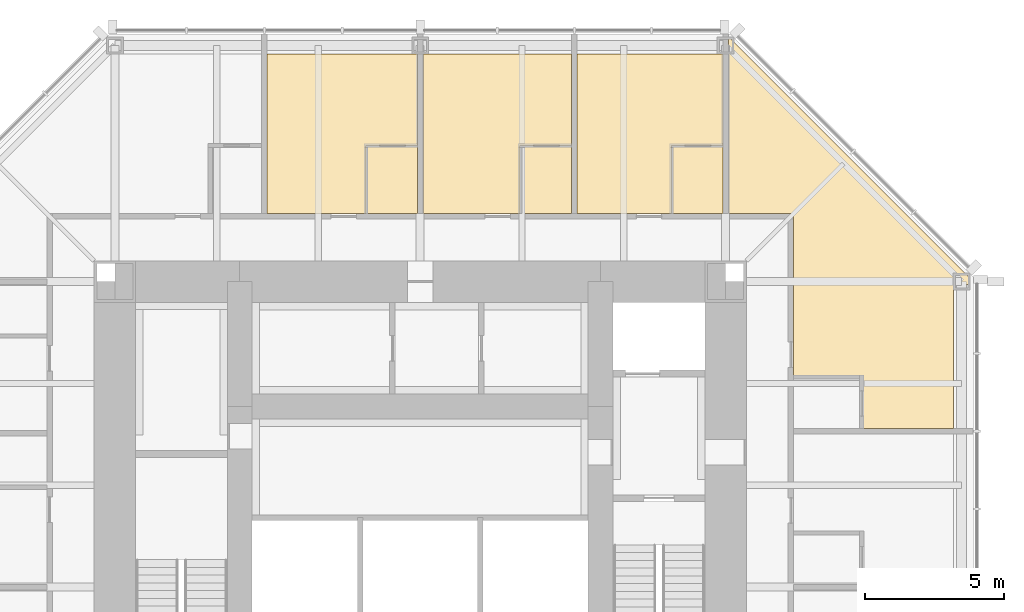
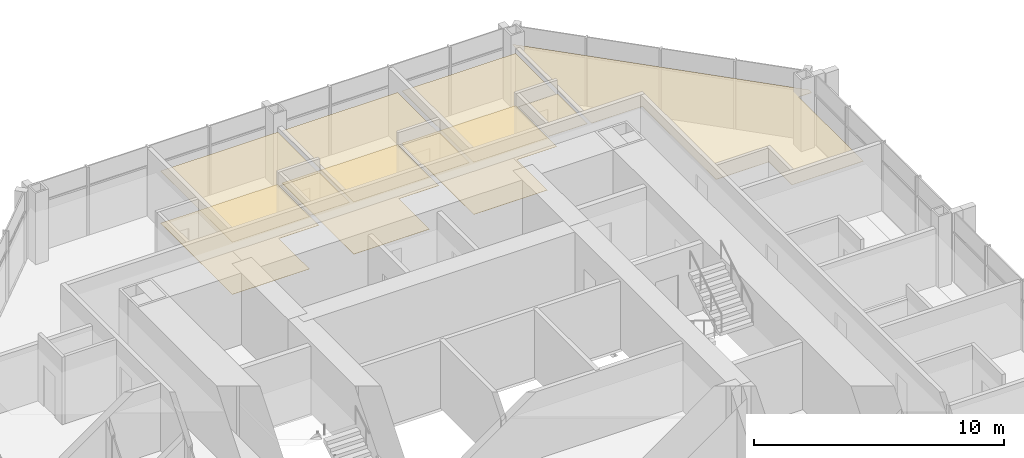
# One storey, part 12 of 12: 10 coverings.
"""IFC4 building model written with IfcOpenShell, lengths in metres."""

from ifc_helpers import new_model, si_unit, direction, frame, origin, place, context, subcontext, project, spatial, polyline, outline, extrude, material, layer, layer_set, type_object, element, save


model = new_model("IFC4")

# Units and contexts
model_context = context("Model", 3, precision=1e-05, world=origin(), true_north=direction((0.0, 1.0)))
body_context = subcontext(model_context, "Body", "Model", "MODEL_VIEW")
ifc_project = project(units=[si_unit("LENGTHUNIT", "METRE"), si_unit("AREAUNIT", "SQUARE_METRE"), si_unit("VOLUMEUNIT", "CUBIC_METRE"), si_unit("PLANEANGLEUNIT", "RADIAN"), si_unit("MASSUNIT", "GRAM", prefix="KILO")], contexts=[model_context])

# Site, building, storey
site_placement = place(None, origin())
site = spatial("IfcSite", under=ifc_project, at=site_placement, CompositionType="ELEMENT")
building_placement = place(site_placement, origin())
building = spatial("IfcBuilding", under=site, at=building_placement, Name="Trevanion Tower", CompositionType="ELEMENT")
storey_placement = place(building_placement, frame((0.0, 0.0, 190.699951171875)))
storey = spatial("IfcBuildingStorey", under=building, at=storey_placement, Name="L44", CompositionType="ELEMENT", Elevation=190.699951171875)

# Coverings
ifc_material_1 = material(Name="Gypsum plasterboard on suspended metal furring", Category="gypsum")
ifc_layer_1 = layer(ifc_material_1, 0.012939453125)
ifc_layer_set_1 = layer_set([ifc_layer_1], Name="CL3 plasterboard ceiling 13")
covering_type_1 = type_object("IfcCoveringType", Name="CL3 plasterboard ceiling 13", PredefinedType="CEILING", material=ifc_layer_set_1)
covering_1_placement = place(storey_placement, frame((0.0, 0.0, 2.551025390625)))
element("IfcCovering", 1, at=covering_1_placement, inside=storey, type_object=covering_type_1, Name="CL3 L44-GR3", PredefinedType="CEILING", context=body_context, shape_type="SweptSolid", body=[
    extrude(outline(polyline([(11.10009765625, 13.449951171875), (11.10009765625, 19.800048828125), (11.124267578125, 19.800048828125), (19.800048828125, 11.124267578125), (19.800048828125, 10.89990234375), (19.199951171875, 10.89990234375), (19.199951171875, 5.714111328125), (15.89990234375, 5.714111328125), (15.89990234375, 7.56396484375), (13.449951171875, 7.56396484375), (13.449951171875, 13.449951171875), (11.10009765625, 13.449951171875)])), origin(), (0.0, 0.0, 1.0), 0.012939453125),
])
covering_2_placement = place(storey_placement, frame((0.0, 0.0, 2.551025390625)))
element("IfcCovering", 2, at=covering_2_placement, inside=storey, type_object=covering_type_1, Name="CL3 L44-GR4", PredefinedType="CEILING", context=body_context, shape_type="SweptSolid", body=[
    extrude(outline(polyline([(5.64892578125, 13.449951171875), (5.64892578125, 19.199951171875), (10.89990234375, 19.199951171875), (10.89990234375, 15.89990234375), (9.050048828125, 15.89990234375), (9.050048828125, 13.449951171875), (5.64892578125, 13.449951171875)])), origin(), (0.0, 0.0, 1.0), 0.012939453125),
])
covering_3_placement = place(storey_placement, frame((0.0, 0.0, 2.551025390625)))
element("IfcCovering", 3, at=covering_3_placement, inside=storey, type_object=covering_type_1, Name="CL3 L44-GR5", PredefinedType="CEILING", context=body_context, shape_type="SweptSolid", body=[
    extrude(outline(polyline([(0.10009765625, 13.449951171875), (0.10009765625, 19.199951171875), (5.448974609375, 19.199951171875), (5.448974609375, 15.89990234375), (3.59912109375, 15.89990234375), (3.59912109375, 13.449951171875), (0.10009765625, 13.449951171875)])), origin(), (0.0, 0.0, 1.0), 0.012939453125),
])
covering_4_placement = place(storey_placement, frame((0.0, 0.0, 2.551025390625)))
element("IfcCovering", 4, at=covering_4_placement, inside=storey, type_object=covering_type_1, Name="CL3 L44-GR6", PredefinedType="CEILING", context=body_context, shape_type="SweptSolid", body=[
    extrude(outline(polyline([(-5.513916015625, 13.449951171875), (-5.513916015625, 19.199951171875), (-0.10009765625, 19.199951171875), (-0.10009765625, 15.89990234375), (-1.949951171875, 15.89990234375), (-1.949951171875, 13.449951171875), (-5.513916015625, 13.449951171875)])), origin(), (0.0, 0.0, 1.0), 0.012939453125),
])
ifc_material_2 = material(Name="Moisture-resistant gypsum board on suspended metal furring", Category="gypsum")
ifc_layer_2 = layer(ifc_material_2, 0.01611328125)
ifc_layer_set_2 = layer_set([ifc_layer_2], Name="CL4 moisture-resistant board ceiling 16")
covering_type_2 = type_object("IfcCoveringType", Name="CL4 moisture-resistant board ceiling 16", PredefinedType="CEILING", material=ifc_layer_set_2)
covering_5_placement = place(storey_placement, frame((0.0, 0.0, 2.60009765625)))
element("IfcCovering", 5, at=covering_5_placement, inside=storey, type_object=covering_type_2, Name="CL4 L44-EN5", PredefinedType="CEILING", context=body_context, shape_type="SweptSolid", body=[
    extrude(outline(polyline([(10.89990234375, 15.85009765625), (9.10009765625, 15.85009765625), (9.10009765625, 13.449951171875), (10.89990234375, 13.449951171875), (10.89990234375, 15.85009765625)])), origin(), (0.0, 0.0, 1.0), 0.015869140625),
])
covering_6_placement = place(storey_placement, frame((0.0, 0.0, 2.60009765625)))
element("IfcCovering", 6, at=covering_6_placement, inside=storey, type_object=covering_type_2, Name="CL4 L44-EN6", PredefinedType="CEILING", context=body_context, shape_type="SweptSolid", body=[
    extrude(outline(polyline([(5.448974609375, 15.85009765625), (3.64892578125, 15.85009765625), (3.64892578125, 13.449951171875), (5.448974609375, 13.449951171875), (5.448974609375, 15.85009765625)])), origin(), (0.0, 0.0, 1.0), 0.015869140625),
])
covering_7_placement = place(storey_placement, frame((0.0, 0.0, 2.60009765625)))
element("IfcCovering", 7, at=covering_7_placement, inside=storey, type_object=covering_type_2, Name="CL4 L44-EN7", PredefinedType="CEILING", context=body_context, shape_type="SweptSolid", body=[
    extrude(outline(polyline([(-0.10009765625, 15.85009765625), (-1.89990234375, 15.85009765625), (-1.89990234375, 13.449951171875), (-0.10009765625, 13.449951171875), (-0.10009765625, 15.85009765625)])), origin(), (0.0, 0.0, 1.0), 0.015869140625),
])
ifc_material_3 = material(Name="Wool carpet on underlay", Category="textile")
ifc_layer_3 = layer(ifc_material_3, 0.011962890625)
ifc_layer_set_3 = layer_set([ifc_layer_3], Name="FF2 carpet flooring")
covering_type_3 = type_object("IfcCoveringType", Name="FF2 carpet flooring", PredefinedType="FLOORING", material=ifc_layer_set_3)
covering_8_placement = place(storey_placement, origin())
element("IfcCovering", 8, at=covering_8_placement, inside=storey, type_object=covering_type_3, Name="FF2 L44-GR4", PredefinedType="FLOORING", context=body_context, shape_type="SweptSolid", body=[
    extrude(outline(polyline([(5.64892578125, 13.449951171875), (5.64892578125, 19.199951171875), (10.89990234375, 19.199951171875), (10.89990234375, 15.89990234375), (9.050048828125, 15.89990234375), (9.050048828125, 13.449951171875), (5.64892578125, 13.449951171875)])), origin(), (0.0, 0.0, 1.0), 0.011962890625),
])
covering_9_placement = place(storey_placement, origin())
element("IfcCovering", 9, at=covering_9_placement, inside=storey, type_object=covering_type_3, Name="FF2 L44-GR5", PredefinedType="FLOORING", context=body_context, shape_type="SweptSolid", body=[
    extrude(outline(polyline([(0.10009765625, 13.449951171875), (0.10009765625, 19.199951171875), (5.448974609375, 19.199951171875), (5.448974609375, 15.89990234375), (3.59912109375, 15.89990234375), (3.59912109375, 13.449951171875), (0.10009765625, 13.449951171875)])), origin(), (0.0, 0.0, 1.0), 0.011962890625),
])
covering_10_placement = place(storey_placement, origin())
element("IfcCovering", 10, at=covering_10_placement, inside=storey, type_object=covering_type_3, Name="FF2 L44-GR6", PredefinedType="FLOORING", context=body_context, shape_type="SweptSolid", body=[
    extrude(outline(polyline([(-5.513916015625, 13.449951171875), (-5.513916015625, 19.199951171875), (-0.10009765625, 19.199951171875), (-0.10009765625, 15.89990234375), (-1.949951171875, 15.89990234375), (-1.949951171875, 13.449951171875), (-5.513916015625, 13.449951171875)])), origin(), (0.0, 0.0, 1.0), 0.011962890625),
])

save(model, "model.ifc")
